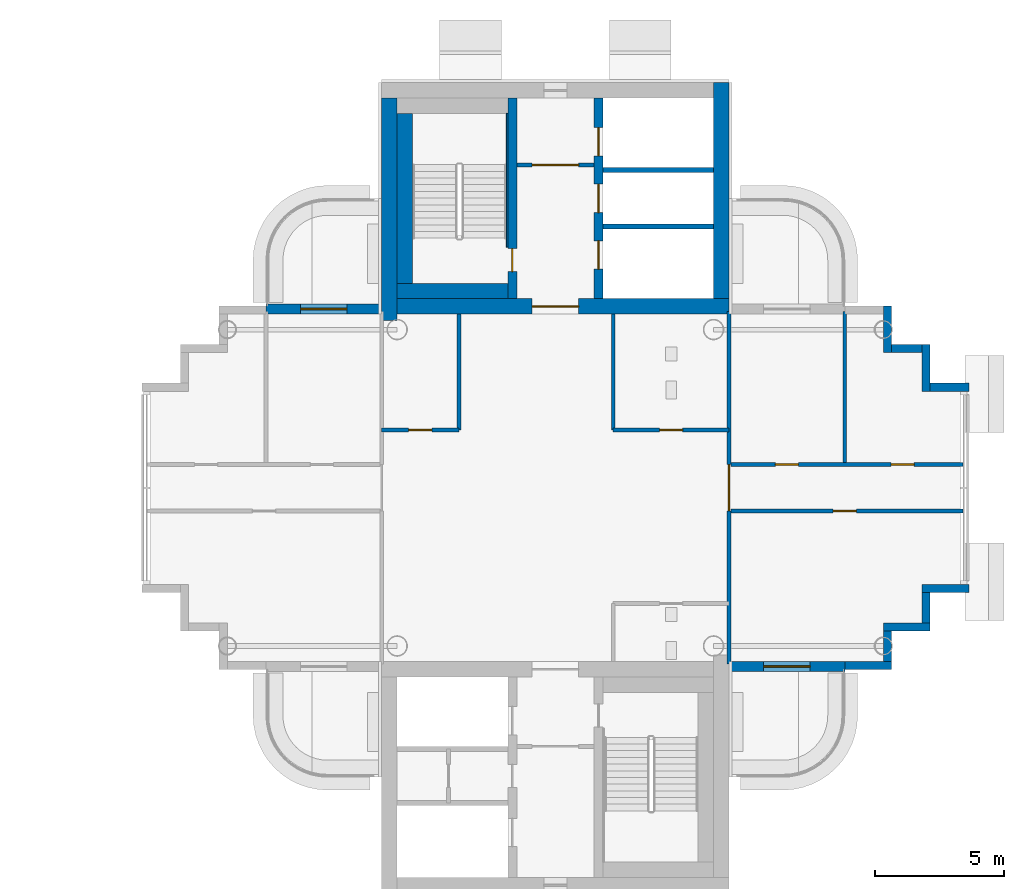
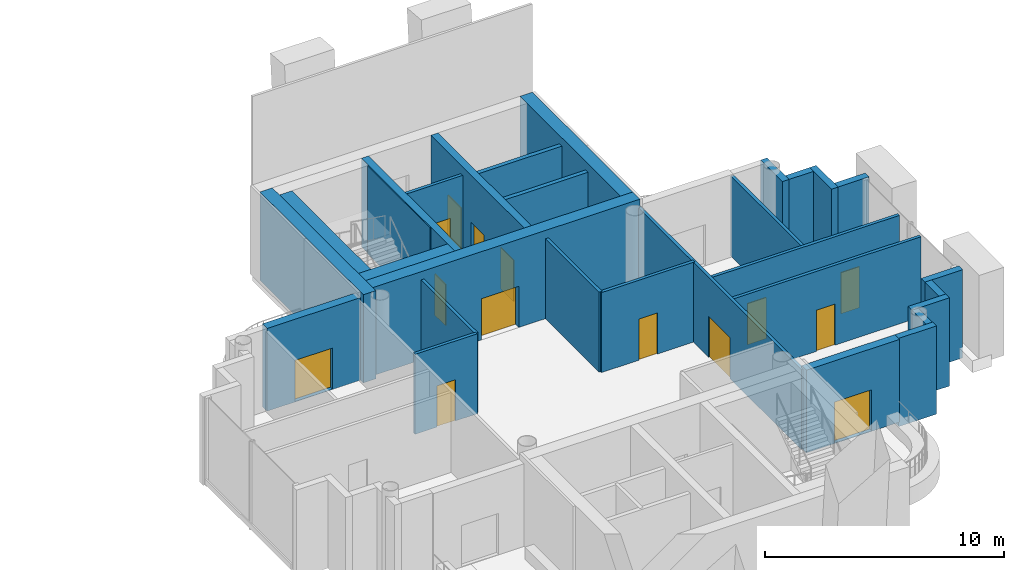
# One storey, part 10 of 20: 30 walls, 14 doors, 14 openings.
"""IFC4 building model written with IfcOpenShell, lengths in metres."""

from ifc_helpers import new_model, si_unit, direction, frame, frame_2d, origin, place, context, subcontext, project, spatial, rectangle, extrude, material, layer, layer_set, type_object, element, fill, save


model = new_model("IFC4")

# Units and contexts
model_context = context("Model", 3, precision=1e-05, world=origin(), true_north=direction((0.0, 1.0)))
body_context = subcontext(model_context, "Body", "Model", "MODEL_VIEW")
ifc_project = project(units=[si_unit("LENGTHUNIT", "METRE"), si_unit("AREAUNIT", "SQUARE_METRE"), si_unit("VOLUMEUNIT", "CUBIC_METRE"), si_unit("PLANEANGLEUNIT", "RADIAN"), si_unit("MASSUNIT", "GRAM", prefix="KILO")], contexts=[model_context])

# Site, building, storey
site_placement = place(None, origin())
site = spatial("IfcSite", under=ifc_project, at=site_placement, CompositionType="ELEMENT")
building_placement = place(site_placement, origin())
building = spatial("IfcBuilding", under=site, at=building_placement, Name="Ipe Terrace Towers", CompositionType="ELEMENT")
storey_placement = place(building_placement, frame((0.0, 0.0, 242.39990234375)))
storey = spatial("IfcBuildingStorey", under=building, at=storey_placement, Name="L67", CompositionType="ELEMENT", Elevation=242.39990234375)

# Wall, opening, door
ifc_material_1 = material(Name="Concrete C40/50 with buff precast cladding", Category="concrete")
ifc_layer_1 = layer(ifc_material_1, 0.39990234375)
ifc_layer_set_1 = layer_set([ifc_layer_1], Name="BALCONY BAY WALL 400")
wall_type_1 = type_object("IfcWallType", Name="BALCONY BAY WALL 400", PredefinedType="STANDARD", material=ifc_layer_set_1)
wall_1_placement = place(storey_placement, frame((42.75, -6.949951171875, -0.02001953125), z_axis=(0.0, 0.0, 1.0), x_axis=(1.0, 0.0, 0.0)))
wall_1 = element("IfcWall", 1, at=wall_1_placement, inside=storey, type_object=wall_type_1, Name="T2-W-L67-02a wall", PredefinedType="STANDARD", context=body_context, shape_type="SweptSolid", body=[
    extrude(rectangle(XDim=4.5, YDim=0.39990234375, at=frame_2d((2.25, 0.0))), origin(), (0.0, 0.0, 1.0), 4.22021484375),
])
opening_1_placement = place(wall_1_placement, frame((1.35009765625, 0.0, 0.02001953125)))
opening_1 = element("IfcOpeningElement", 2, at=opening_1_placement, cuts=wall_1, Name="Opening T2-D-L67-02", PredefinedType="OPENING", context=body_context, shape_type="SweptSolid", body=[
    extrude(rectangle(XDim=1.800048828125, YDim=2.10009765625, at=frame_2d((0.89990234375, 1.050048828125))), frame((0.0, 0.2099609375, 0.0), z_axis=(0.0, -1.0, 0.0), x_axis=(1.0, 0.0, 0.0)), (0.0, 0.0, 1.0), 0.419921875),
])
ifc_material_2 = material(Name="Aluminium alloy 6063-T6 framed glazed door", Category="aluminium")
door_type_1 = type_object("IfcDoorType", Name="BALCONY DOOR 1800 x 2100 RIGHT", OperationType="SINGLE_SWING_RIGHT", PredefinedType="DOOR", material=ifc_material_2)
door_1_placement = place(opening_1_placement, origin())
door_1 = element("IfcDoor", 3, at=door_1_placement, inside=storey, type_object=door_type_1, Name="DB2 door", OperationType="SINGLE_SWING_RIGHT", OverallHeight=2.10009765625, OverallWidth=1.800048828125, PredefinedType="DOOR", context=body_context, shape_type="SweptSolid", body=[
    extrude(rectangle(XDim=1.800048828125, YDim=2.10009765625, at=frame_2d((0.89990234375, 1.050048828125))), frame((0.0, 0.02490234375, 0.0), z_axis=(0.0, -1.0, 0.0), x_axis=(1.0, 0.0, 0.0)), (0.0, 0.0, 1.0), 0.050048828125),
])
fill(opening_1, door_1)

wall_2_placement = place(storey_placement, frame((29.25, 6.949951171875, -0.02001953125), z_axis=(0.0, 0.0, 1.0), x_axis=(-1.0, 0.0, 0.0)))
wall_2 = element("IfcWall", 4, at=wall_2_placement, inside=storey, type_object=wall_type_1, Name="T2-W-L67-20a wall", PredefinedType="STANDARD", context=body_context, shape_type="SweptSolid", body=[
    extrude(rectangle(XDim=4.5, YDim=0.39990234375, at=frame_2d((2.25, 0.0))), origin(), (0.0, 0.0, 1.0), 4.22021484375),
])
opening_2_placement = place(wall_2_placement, frame((1.35009765625, 0.0, 0.02001953125)))
opening_2 = element("IfcOpeningElement", 5, at=opening_2_placement, cuts=wall_2, Name="Opening T2-D-L67-20", PredefinedType="OPENING", context=body_context, shape_type="SweptSolid", body=[
    extrude(rectangle(XDim=1.800048828125, YDim=2.10009765625, at=frame_2d((0.89990234375, 1.050048828125))), frame((0.0, 0.2099609375, 0.0), z_axis=(0.0, -1.0, 0.0), x_axis=(1.0, 0.0, 0.0)), (0.0, 0.0, 1.0), 0.419921875),
])
door_2_placement = place(opening_2_placement, origin())
door_2 = element("IfcDoor", 6, at=door_2_placement, inside=storey, type_object=door_type_1, Name="DB2 door", OperationType="SINGLE_SWING_RIGHT", OverallHeight=2.10009765625, OverallWidth=1.800048828125, PredefinedType="DOOR", context=body_context, shape_type="SweptSolid", body=[
    extrude(rectangle(XDim=1.800048828125, YDim=2.10009765625, at=frame_2d((0.89990234375, 1.050048828125))), frame((0.0, 0.02490234375, 0.0), z_axis=(0.0, -1.0, 0.0), x_axis=(1.0, 0.0, 0.0)), (0.0, 0.0, 1.0), 0.050048828125),
])
fill(opening_2, door_2)

# Walls
ifc_material_3 = material(Name="Concrete C40/50 with buff precast cladding", Category="concrete")
ifc_layer_2 = layer(ifc_material_3, 0.320068359375)
ifc_layer_set_2 = layer_set([ifc_layer_2], Name="BUFF CLADDING WALL 320")
wall_type_2 = type_object("IfcWallType", Name="BUFF CLADDING WALL 320", PredefinedType="STANDARD", material=ifc_layer_set_2)
wall_3_placement = place(storey_placement, frame((47.25, -6.909912109375, -0.2998046875), z_axis=(0.0, 0.0, 1.0), x_axis=(1.0, 0.0, 0.0)))
element("IfcWall", 7, at=wall_3_placement, inside=storey, type_object=wall_type_2, Name="T2-W-L67-03a wall", PredefinedType="STANDARD", context=body_context, shape_type="SweptSolid", body=[
    extrude(rectangle(XDim=1.820068359375, YDim=0.320068359375, at=frame_2d((0.91015625, 0.0))), origin(), (0.0, 0.0, 1.0), 4.5),
])
wall_4_placement = place(storey_placement, frame((48.909912109375, -6.75, -0.2998046875), z_axis=(0.0, 0.0, 1.0), x_axis=(0.0, 1.0, 0.0)))
element("IfcWall", 8, at=wall_4_placement, inside=storey, type_object=wall_type_2, Name="T2-W-L67-04a wall", PredefinedType="STANDARD", context=body_context, shape_type="SweptSolid", body=[
    extrude(rectangle(XDim=1.179931640625, YDim=0.320068359375, at=frame_2d((0.58984375, 0.0))), origin(), (0.0, 0.0, 1.0), 4.5),
])
wall_5_placement = place(storey_placement, frame((48.75, -5.409912109375, -0.2998046875), z_axis=(0.0, 0.0, 1.0), x_axis=(1.0, 0.0, 0.0)))
element("IfcWall", 9, at=wall_5_placement, inside=storey, type_object=wall_type_2, Name="T2-W-L67-05a wall", PredefinedType="STANDARD", context=body_context, shape_type="SweptSolid", body=[
    extrude(rectangle(XDim=1.820068359375, YDim=0.320068359375, at=frame_2d((0.91015625, 0.0))), origin(), (0.0, 0.0, 1.0), 4.5),
])
wall_6_placement = place(storey_placement, frame((50.409912109375, -5.25, -0.2998046875), z_axis=(0.0, 0.0, 1.0), x_axis=(0.0, 1.0, 0.0)))
element("IfcWall", 10, at=wall_6_placement, inside=storey, type_object=wall_type_2, Name="T2-W-L67-06a wall", PredefinedType="STANDARD", context=body_context, shape_type="SweptSolid", body=[
    extrude(rectangle(XDim=1.179931640625, YDim=0.320068359375, at=frame_2d((0.58984375, 0.0))), origin(), (0.0, 0.0, 1.0), 4.5),
])
wall_7_placement = place(storey_placement, frame((50.25, -3.909912109375, -0.2998046875), z_axis=(0.0, 0.0, 1.0), x_axis=(1.0, 0.0, 0.0)))
element("IfcWall", 11, at=wall_7_placement, inside=storey, type_object=wall_type_2, Name="T2-W-L67-07a wall", PredefinedType="STANDARD", context=body_context, shape_type="SweptSolid", body=[
    extrude(rectangle(XDim=1.820068359375, YDim=0.320068359375, at=frame_2d((0.91015625, 0.0))), origin(), (0.0, 0.0, 1.0), 4.5),
])
wall_8_placement = place(storey_placement, frame((52.070068359375, 3.909912109375, -0.2998046875), z_axis=(0.0, 0.0, 1.0), x_axis=(-1.0, 0.0, 0.0)))
element("IfcWall", 12, at=wall_8_placement, inside=storey, type_object=wall_type_2, Name="T2-W-L67-09a wall", PredefinedType="STANDARD", context=body_context, shape_type="SweptSolid", body=[
    extrude(rectangle(XDim=1.5, YDim=0.320068359375, at=frame_2d((0.75, 0.0))), origin(), (0.0, 0.0, 1.0), 4.5),
])
wall_9_placement = place(storey_placement, frame((50.409912109375, 3.75, -0.2998046875), z_axis=(0.0, 0.0, 1.0), x_axis=(0.0, 1.0, 0.0)))
element("IfcWall", 13, at=wall_9_placement, inside=storey, type_object=wall_type_2, Name="T2-W-L67-10a wall", PredefinedType="STANDARD", context=body_context, shape_type="SweptSolid", body=[
    extrude(rectangle(XDim=1.820068359375, YDim=0.320068359375, at=frame_2d((0.91015625, 0.0))), origin(), (0.0, 0.0, 1.0), 4.5),
])
wall_10_placement = place(storey_placement, frame((50.25, 5.409912109375, -0.2998046875), z_axis=(0.0, 0.0, 1.0), x_axis=(-1.0, 0.0, 0.0)))
element("IfcWall", 14, at=wall_10_placement, inside=storey, type_object=wall_type_2, Name="T2-W-L67-11a wall", PredefinedType="STANDARD", context=body_context, shape_type="SweptSolid", body=[
    extrude(rectangle(XDim=1.179931640625, YDim=0.320068359375, at=frame_2d((0.58984375, 0.0))), origin(), (0.0, 0.0, 1.0), 4.5),
])
wall_11_placement = place(storey_placement, frame((48.909912109375, 5.25, -0.2998046875), z_axis=(0.0, 0.0, 1.0), x_axis=(0.0, 1.0, 0.0)))
element("IfcWall", 15, at=wall_11_placement, inside=storey, type_object=wall_type_2, Name="T2-W-L67-12a wall", PredefinedType="STANDARD", context=body_context, shape_type="SweptSolid", body=[
    extrude(rectangle(XDim=1.820068359375, YDim=0.320068359375, at=frame_2d((0.91015625, 0.0))), origin(), (0.0, 0.0, 1.0), 4.5),
])

# Wall, opening, door
ifc_material_4 = material(Name="Gypsum board partition", Category="plasterboard")
ifc_layer_3 = layer(ifc_material_4, 0.14990234375)
ifc_layer_set_3 = layer_set([ifc_layer_3], Name="Gypsum board partition 150 mm")
wall_type_3 = type_object("IfcWallType", Name="Gypsum board partition 150 mm", PredefinedType="PARTITIONING", material=ifc_layer_set_3)
wall_12_placement = place(storey_placement, frame((37.5, 12.550048828125, 0.0), z_axis=(0.0, 0.0, 1.0), x_axis=(-1.0, 0.0, 0.0)))
wall_12 = element("IfcWall", 16, at=wall_12_placement, inside=storey, type_object=wall_type_3, Name="Gypsum board partition T2 L67 t2c1-lobby-wall", PredefinedType="PARTITIONING", context=body_context, shape_type="SweptSolid", body=[
    extrude(rectangle(XDim=3.0, YDim=0.14990234375, at=frame_2d((1.5, 0.0))), origin(), (0.0, 0.0, 1.0), 4.080078125),
])
opening_3_placement = place(wall_12_placement, frame((0.60009765625, 0.0, 0.0)))
opening_3 = element("IfcOpeningElement", 17, at=opening_3_placement, cuts=wall_12, Name="Opening T2C1-VD", PredefinedType="OPENING", context=body_context, shape_type="SweptSolid", body=[
    extrude(rectangle(XDim=1.800048828125, YDim=2.10009765625, at=frame_2d((0.89990234375, 1.050048828125))), frame((0.0, 0.0849609375, 0.0), z_axis=(0.0, -1.0, 0.0), x_axis=(1.0, 0.0, 0.0)), (0.0, 0.0, 1.0), 0.169921875),
])
ifc_material_5 = material(Name="Fire-rated timber door leaf", Category="wood")
door_type_2 = type_object("IfcDoorType", Name="Lobby door 1800 x 2100 FD60", OperationType="NOTDEFINED", PredefinedType="DOOR", material=ifc_material_5)
door_3_placement = place(opening_3_placement, origin())
door_3 = element("IfcDoor", 18, at=door_3_placement, inside=storey, type_object=door_type_2, Name="Lobby door T2C1-VD", OperationType="SINGLE_SWING_LEFT", OverallHeight=2.10009765625, OverallWidth=1.800048828125, PredefinedType="DOOR", context=body_context, shape_type="SweptSolid", body=[
    extrude(rectangle(XDim=1.800048828125, YDim=2.10009765625, at=frame_2d((0.89990234375, 1.050048828125))), frame((0.0, 0.02490234375, 0.0), z_axis=(0.0, -1.0, 0.0), x_axis=(1.0, 0.0, 0.0)), (0.0, 0.0, 1.0), 0.050048828125),
])
fill(opening_3, door_3)

wall_13_placement = place(storey_placement, frame((32.25, 2.25, 0.0), z_axis=(0.0, 0.0, 1.0), x_axis=(-1.0, 0.0, 0.0)))
wall_13 = element("IfcWall", 19, at=wall_13_placement, inside=storey, type_object=wall_type_3, Name="Gypsum board partition T2 L67 sp-cne-x", PredefinedType="PARTITIONING", context=body_context, shape_type="SweptSolid", body=[
    extrude(rectangle(XDim=3.0, YDim=0.14990234375, at=frame_2d((1.5, 0.0))), origin(), (0.0, 0.0, 1.0), 4.080078125),
])
opening_4_placement = place(wall_13_placement, frame((1.050048828125, 0.0, 0.0)))
opening_4 = element("IfcOpeningElement", 20, at=opening_4_placement, cuts=wall_13, Name="Opening T2-SP-CNE-NR", PredefinedType="OPENING", context=body_context, shape_type="SweptSolid", body=[
    extrude(rectangle(XDim=0.89990234375, YDim=2.10009765625, at=frame_2d((0.449951171875, 1.050048828125))), frame((0.0, 0.0849609375, 0.0), z_axis=(0.0, -1.0, 0.0), x_axis=(1.0, 0.0, 0.0)), (0.0, 0.0, 1.0), 0.169921875),
])
ifc_material_6 = material(Name="Timber door leaf", Category="wood")
door_type_3 = type_object("IfcDoorType", Name="Service door 900 x 2100", OperationType="NOTDEFINED", PredefinedType="DOOR", material=ifc_material_6)
door_4_placement = place(opening_4_placement, origin())
door_4 = element("IfcDoor", 21, at=door_4_placement, inside=storey, type_object=door_type_3, Name="Service door T2-SP-CNE-NR", OperationType="SINGLE_SWING_RIGHT", OverallHeight=2.10009765625, OverallWidth=0.89990234375, PredefinedType="DOOR", context=body_context, shape_type="SweptSolid", body=[
    extrude(rectangle(XDim=0.89990234375, YDim=2.10009765625, at=frame_2d((0.449951171875, 1.050048828125))), frame((0.0, 0.02490234375, 0.0), z_axis=(0.0, -1.0, 0.0), x_axis=(1.0, 0.0, 0.0)), (0.0, 0.0, 1.0), 0.050048828125),
])
fill(opening_4, door_4)

# Wall
wall_14_placement = place(storey_placement, frame((32.25, 2.25, 0.0), z_axis=(0.0, 0.0, 1.0), x_axis=(0.0, 1.0, 0.0)))
element("IfcWall", 22, at=wall_14_placement, inside=storey, type_object=wall_type_3, Name="Gypsum board partition T2 L67 sp-cne-y", PredefinedType="PARTITIONING", context=body_context, shape_type="SweptSolid", body=[
    extrude(rectangle(XDim=4.5, YDim=0.14990234375, at=frame_2d((2.25, 0.0))), origin(), (0.0, 0.0, 1.0), 4.080078125),
])

# Wall, opening, door
wall_15_placement = place(storey_placement, frame((42.75, 2.25, 0.0), z_axis=(0.0, 0.0, 1.0), x_axis=(-1.0, 0.0, 0.0)))
wall_15 = element("IfcWall", 23, at=wall_15_placement, inside=storey, type_object=wall_type_3, Name="Gypsum board partition T2 L67 sp-cse-x", PredefinedType="PARTITIONING", context=body_context, shape_type="SweptSolid", body=[
    extrude(rectangle(XDim=4.5, YDim=0.14990234375, at=frame_2d((2.25, 0.0))), origin(), (0.0, 0.0, 1.0), 4.080078125),
])
opening_5_placement = place(wall_15_placement, frame((1.800048828125, 0.0, 0.0)))
opening_5 = element("IfcOpeningElement", 24, at=opening_5_placement, cuts=wall_15, Name="Opening T2-SP-CSE-NR", PredefinedType="OPENING", context=body_context, shape_type="SweptSolid", body=[
    extrude(rectangle(XDim=0.89990234375, YDim=2.10009765625, at=frame_2d((0.449951171875, 1.050048828125))), frame((0.0, 0.0849609375, 0.0), z_axis=(0.0, -1.0, 0.0), x_axis=(1.0, 0.0, 0.0)), (0.0, 0.0, 1.0), 0.169921875),
])
ifc_material_7 = material(Name="Timber door leaf", Category="wood")
door_type_4 = type_object("IfcDoorType", Name="Bathroom door 900 x 2100", OperationType="NOTDEFINED", PredefinedType="DOOR", material=ifc_material_7)
door_5_placement = place(opening_5_placement, origin())
door_5 = element("IfcDoor", 25, at=door_5_placement, inside=storey, type_object=door_type_4, Name="Bathroom door T2-SP-CSE-NR", OperationType="SINGLE_SWING_RIGHT", OverallHeight=2.10009765625, OverallWidth=0.89990234375, PredefinedType="DOOR", context=body_context, shape_type="SweptSolid", body=[
    extrude(rectangle(XDim=0.89990234375, YDim=2.10009765625, at=frame_2d((0.449951171875, 1.050048828125))), frame((0.0, 0.02490234375, 0.0), z_axis=(0.0, -1.0, 0.0), x_axis=(1.0, 0.0, 0.0)), (0.0, 0.0, 1.0), 0.050048828125),
])
fill(opening_5, door_5)

# Wall
wall_16_placement = place(storey_placement, frame((38.25, 2.25, 0.0), z_axis=(0.0, 0.0, 1.0), x_axis=(0.0, 1.0, 0.0)))
element("IfcWall", 26, at=wall_16_placement, inside=storey, type_object=wall_type_3, Name="Gypsum board partition T2 L67 sp-cse-y", PredefinedType="PARTITIONING", context=body_context, shape_type="SweptSolid", body=[
    extrude(rectangle(XDim=4.5, YDim=0.14990234375, at=frame_2d((2.25, 0.0))), origin(), (0.0, 0.0, 1.0), 4.080078125),
])

# Wall, opening, door
wall_17_placement = place(storey_placement, frame((42.75, -6.85009765625, 0.0), z_axis=(0.0, 0.0, 1.0), x_axis=(0.0, 1.0, 0.0)))
wall_17 = element("IfcWall", 27, at=wall_17_placement, inside=storey, type_object=wall_type_3, Name="Gypsum board partition T2 L67 sp-Sm-mouth", PredefinedType="PARTITIONING", context=body_context, shape_type="SweptSolid", body=[
    extrude(rectangle(XDim=13.7001953125, YDim=0.14990234375, at=frame_2d((6.85009765625, 0.0))), origin(), (0.0, 0.0, 1.0), 4.080078125),
])
opening_6_placement = place(wall_17_placement, frame((5.949951171875, 0.0, 0.0)))
opening_6 = element("IfcOpeningElement", 28, at=opening_6_placement, cuts=wall_17, Name="Opening T2-SP-MSm", PredefinedType="OPENING", context=body_context, shape_type="SweptSolid", body=[
    extrude(rectangle(XDim=1.800048828125, YDim=2.10009765625, at=frame_2d((0.89990234375, 1.050048828125))), frame((0.0, 0.0849609375, 0.0), z_axis=(0.0, -1.0, 0.0), x_axis=(1.0, 0.0, 0.0)), (0.0, 0.0, 1.0), 0.169921875),
])
ifc_material_8 = material(Name="Fire-rated timber door leaf", Category="wood")
door_type_5 = type_object("IfcDoorType", Name="Lobby door 1800 x 2100 FD30S", OperationType="NOTDEFINED", PredefinedType="DOOR", material=ifc_material_8)
door_6_placement = place(opening_6_placement, origin())
door_6 = element("IfcDoor", 29, at=door_6_placement, inside=storey, type_object=door_type_5, Name="Lobby door T2-SP-MSm", OperationType="SINGLE_SWING_RIGHT", OverallHeight=2.10009765625, OverallWidth=1.800048828125, PredefinedType="DOOR", context=body_context, shape_type="SweptSolid", body=[
    extrude(rectangle(XDim=1.800048828125, YDim=2.10009765625, at=frame_2d((0.89990234375, 1.050048828125))), frame((0.0, 0.02490234375, 0.0), z_axis=(0.0, -1.0, 0.0), x_axis=(1.0, 0.0, 0.0)), (0.0, 0.0, 1.0), 0.050048828125),
])
fill(opening_6, door_6)

# Wall, openings, doors
wall_18_placement = place(storey_placement, frame((51.85009765625, 0.89990234375, 0.0), z_axis=(0.0, 0.0, 1.0), x_axis=(-1.0, 0.0, 0.0)))
wall_18 = element("IfcWall", 30, at=wall_18_placement, inside=storey, type_object=wall_type_3, Name="Gypsum board partition T2 L67 sp-Sm-wp", PredefinedType="PARTITIONING", context=body_context, shape_type="SweptSolid", body=[
    extrude(rectangle(XDim=9.025146484375, YDim=0.14990234375, at=frame_2d((4.5126953125, 0.0))), origin(), (0.0, 0.0, 1.0), 4.080078125),
])
opening_7_placement = place(wall_18_placement, frame((1.89990234375, 0.0, 0.0)))
opening_7 = element("IfcOpeningElement", 31, at=opening_7_placement, cuts=wall_18, Name="Opening T2-SP-PSm1", PredefinedType="OPENING", context=body_context, shape_type="SweptSolid", body=[
    extrude(rectangle(XDim=0.89990234375, YDim=2.10009765625, at=frame_2d((0.449951171875, 1.050048828125))), frame((0.0, 0.0849609375, 0.0), z_axis=(0.0, -1.0, 0.0), x_axis=(1.0, 0.0, 0.0)), (0.0, 0.0, 1.0), 0.169921875),
])
opening_8_placement = place(wall_18_placement, frame((6.39990234375, 0.0, 0.0)))
opening_8 = element("IfcOpeningElement", 32, at=opening_8_placement, cuts=wall_18, Name="Opening T2-SP-PSm2", PredefinedType="OPENING", context=body_context, shape_type="SweptSolid", body=[
    extrude(rectangle(XDim=0.89990234375, YDim=2.10009765625, at=frame_2d((0.449951171875, 1.050048828125))), frame((0.0, 0.0849609375, 0.0), z_axis=(0.0, -1.0, 0.0), x_axis=(1.0, 0.0, 0.0)), (0.0, 0.0, 1.0), 0.169921875),
])
ifc_material_9 = material(Name="Fire-rated timber door leaf", Category="wood")
door_type_6 = type_object("IfcDoorType", Name="Lounge door 900 x 2100 FD30S", OperationType="NOTDEFINED", PredefinedType="DOOR", material=ifc_material_9)
door_7_placement = place(opening_7_placement, origin())
door_7 = element("IfcDoor", 33, at=door_7_placement, inside=storey, type_object=door_type_6, Name="Lounge door T2-SP-PSm1", OperationType="SINGLE_SWING_LEFT", OverallHeight=2.10009765625, OverallWidth=0.89990234375, PredefinedType="DOOR", context=body_context, shape_type="SweptSolid", body=[
    extrude(rectangle(XDim=0.89990234375, YDim=2.10009765625, at=frame_2d((0.449951171875, 1.050048828125))), frame((0.0, 0.02490234375, 0.0), z_axis=(0.0, -1.0, 0.0), x_axis=(1.0, 0.0, 0.0)), (0.0, 0.0, 1.0), 0.050048828125),
])
fill(opening_7, door_7)
door_8_placement = place(opening_8_placement, origin())
door_8 = element("IfcDoor", 34, at=door_8_placement, inside=storey, type_object=door_type_6, Name="Lounge door T2-SP-PSm2", OperationType="SINGLE_SWING_RIGHT", OverallHeight=2.10009765625, OverallWidth=0.89990234375, PredefinedType="DOOR", context=body_context, shape_type="SweptSolid", body=[
    extrude(rectangle(XDim=0.89990234375, YDim=2.10009765625, at=frame_2d((0.449951171875, 1.050048828125))), frame((0.0, 0.02490234375, 0.0), z_axis=(0.0, -1.0, 0.0), x_axis=(1.0, 0.0, 0.0)), (0.0, 0.0, 1.0), 0.050048828125),
])
fill(opening_8, door_8)

# Wall
wall_19_placement = place(storey_placement, frame((47.25, 0.97509765625, 0.0), z_axis=(0.0, 0.0, 1.0), x_axis=(0.0, 1.0, 0.0)))
element("IfcWall", 35, at=wall_19_placement, inside=storey, type_object=wall_type_3, Name="Gypsum board partition T2 L67 sp-Sm-dp1", PredefinedType="PARTITIONING", context=body_context, shape_type="SweptSolid", body=[
    extrude(rectangle(XDim=5.875, YDim=0.14990234375, at=frame_2d((2.9375, 0.0))), origin(), (0.0, 0.0, 1.0), 4.080078125),
])

# Wall, opening, door
wall_20_placement = place(storey_placement, frame((51.85009765625, -0.89990234375, 0.0), z_axis=(0.0, 0.0, 1.0), x_axis=(-1.0, 0.0, 0.0)))
wall_20 = element("IfcWall", 36, at=wall_20_placement, inside=storey, type_object=wall_type_3, Name="Gypsum board partition T2 L67 sp-Sm-wm", PredefinedType="PARTITIONING", context=body_context, shape_type="SweptSolid", body=[
    extrude(rectangle(XDim=9.025146484375, YDim=0.14990234375, at=frame_2d((4.5126953125, 0.0))), origin(), (0.0, 0.0, 1.0), 4.080078125),
])
opening_9_placement = place(wall_20_placement, frame((4.14990234375, 0.0, 0.0)))
opening_9 = element("IfcOpeningElement", 37, at=opening_9_placement, cuts=wall_20, Name="Opening T2-SP-MSm1", PredefinedType="OPENING", context=body_context, shape_type="SweptSolid", body=[
    extrude(rectangle(XDim=0.89990234375, YDim=2.10009765625, at=frame_2d((0.449951171875, 1.050048828125))), frame((0.0, 0.0849609375, 0.0), z_axis=(0.0, -1.0, 0.0), x_axis=(1.0, 0.0, 0.0)), (0.0, 0.0, 1.0), 0.169921875),
])
door_9_placement = place(opening_9_placement, origin())
door_9 = element("IfcDoor", 38, at=door_9_placement, inside=storey, type_object=door_type_6, Name="Lounge door T2-SP-MSm1", OperationType="SINGLE_SWING_RIGHT", OverallHeight=2.10009765625, OverallWidth=0.89990234375, PredefinedType="DOOR", context=body_context, shape_type="SweptSolid", body=[
    extrude(rectangle(XDim=0.89990234375, YDim=2.10009765625, at=frame_2d((0.449951171875, 1.050048828125))), frame((0.0, 0.02490234375, 0.0), z_axis=(0.0, -1.0, 0.0), x_axis=(1.0, 0.0, 0.0)), (0.0, 0.0, 1.0), 0.050048828125),
])
fill(opening_9, door_9)

# Walls
ifc_material_10 = material(Name="Gypsum board party wall", Category="plasterboard")
ifc_layer_4 = layer(ifc_material_10, 0.199951171875)
ifc_layer_set_4 = layer_set([ifc_layer_4], Name="Gypsum board party wall 200 mm")
wall_type_4 = type_object("IfcWallType", Name="Gypsum board party wall 200 mm", PredefinedType="SOLIDWALL", material=ifc_layer_set_4)
for number, where, z_axis, x_axis, name in (
    (39, (42.14990234375, 10.14990234375, 0.0), (0.0, 0.0, 1.0), (-1.0, 0.0, 0.0), "Gypsum board party wall T2 L67 t2c1-shaft-div1"),
    (40, (42.14990234375, 12.35009765625, 0.0), (0.0, 0.0, 1.0), (-1.0, 0.0, 0.0), "Gypsum board party wall T2 L67 t2c1-shaft-div2"),
):
    element("IfcWall", number, at=place(storey_placement, frame(where, z_axis=z_axis, x_axis=x_axis)), inside=storey, type_object=wall_type_4, Name=name, PredefinedType="SOLIDWALL", context=body_context, shape_type="SweptSolid", body=[
        extrude(rectangle(XDim=4.2998046875, YDim=0.199951171875, at=frame_2d((2.14990234375, 0.0))), origin(), (0.0, 0.0, 1.0), 4.080078125),
    ])

# Wall, opening, door
ifc_material_11 = material(Name="Concrete C40/50", Category="concrete")
ifc_layer_5 = layer(ifc_material_11, 0.35009765625)
ifc_layer_set_5 = layer_set([ifc_layer_5], Name="RW350 CORE SPINE WALL 350 C40-50")
wall_type_5 = type_object("IfcWallType", Name="RW350 CORE SPINE WALL 350 C40-50", PredefinedType="SHEAR", material=ifc_layer_set_5)
wall_21_placement = place(storey_placement, frame((34.324951171875, 7.35009765625, 0.0), z_axis=(0.0, 0.0, 1.0), x_axis=(0.0, 1.0, 0.0)))
wall_21 = element("IfcWall", 41, at=wall_21_placement, inside=storey, type_object=wall_type_5, Name="Core spine wall T2-C1-Z4-SW1", PredefinedType="SHEAR", context=body_context, shape_type="SweptSolid", body=[
    extrude(rectangle(XDim=7.7998046875, YDim=0.35009765625, at=frame_2d((3.89990234375, 0.0))), origin(), (0.0, 0.0, 1.0), 4.5),
])
opening_10_placement = place(wall_21_placement, frame((1.050048828125, 0.0, 0.0)))
opening_10 = element("IfcOpeningElement", 42, at=opening_10_placement, cuts=wall_21, Name="Opening T2C1-SD", PredefinedType="OPENING", context=body_context, shape_type="SweptSolid", body=[
    extrude(rectangle(XDim=0.89990234375, YDim=2.10009765625, at=frame_2d((0.449951171875, 1.050048828125))), frame((0.0, 0.18505859375, 0.0), z_axis=(0.0, -1.0, 0.0), x_axis=(1.0, 0.0, 0.0)), (0.0, 0.0, 1.0), 0.3701171875),
])
ifc_material_12 = material(Name="Fire-rated timber door leaf", Category="wood")
door_type_7 = type_object("IfcDoorType", Name="Stair door 900 x 2100 FD60", OperationType="NOTDEFINED", PredefinedType="DOOR", material=ifc_material_12)
door_10_placement = place(opening_10_placement, origin())
door_10 = element("IfcDoor", 43, at=door_10_placement, inside=storey, type_object=door_type_7, Name="Stair door T2C1-SD", OperationType="SINGLE_SWING_LEFT", OverallHeight=2.10009765625, OverallWidth=0.89990234375, PredefinedType="DOOR", context=body_context, shape_type="SweptSolid", body=[
    extrude(rectangle(XDim=0.89990234375, YDim=2.10009765625, at=frame_2d((0.449951171875, 1.050048828125))), frame((0.0, 0.02490234375, 0.0), z_axis=(0.0, -1.0, 0.0), x_axis=(1.0, 0.0, 0.0)), (0.0, 0.0, 1.0), 0.050048828125),
])
fill(opening_10, door_10)

# Wall, openings, doors
wall_22_placement = place(storey_placement, frame((37.675048828125, 7.35009765625, 0.0), z_axis=(0.0, 0.0, 1.0), x_axis=(0.0, 1.0, 0.0)))
wall_22 = element("IfcWall", 44, at=wall_22_placement, inside=storey, type_object=wall_type_5, Name="Core spine wall T2-C1-Z4-SW2", PredefinedType="SHEAR", context=body_context, shape_type="SweptSolid", body=[
    extrude(rectangle(XDim=7.7998046875, YDim=0.35009765625, at=frame_2d((3.89990234375, 0.0))), origin(), (0.0, 0.0, 1.0), 4.5),
])
opening_11_placement = place(wall_22_placement, frame((1.14990234375, 0.0, 0.0)))
opening_11 = element("IfcOpeningElement", 45, at=opening_11_placement, cuts=wall_22, Name="Opening T2C1-LD1", PredefinedType="OPENING", context=body_context, shape_type="SweptSolid", body=[
    extrude(rectangle(XDim=1.10009765625, YDim=2.10009765625, at=frame_2d((0.550048828125, 1.050048828125))), frame((0.0, 0.18505859375, 0.0), z_axis=(0.0, -1.0, 0.0), x_axis=(1.0, 0.0, 0.0)), (0.0, 0.0, 1.0), 0.3701171875),
])
opening_12_placement = place(wall_22_placement, frame((3.35009765625, 0.0, 0.0)))
opening_12 = element("IfcOpeningElement", 46, at=opening_12_placement, cuts=wall_22, Name="Opening T2C1-LD2", PredefinedType="OPENING", context=body_context, shape_type="SweptSolid", body=[
    extrude(rectangle(XDim=1.10009765625, YDim=2.10009765625, at=frame_2d((0.550048828125, 1.050048828125))), frame((0.0, 0.18505859375, 0.0), z_axis=(0.0, -1.0, 0.0), x_axis=(1.0, 0.0, 0.0)), (0.0, 0.0, 1.0), 0.3701171875),
])
opening_13_placement = place(wall_22_placement, frame((5.550048828125, 0.0, 0.0)))
opening_13 = element("IfcOpeningElement", 47, at=opening_13_placement, cuts=wall_22, Name="Opening T2C1-LD3", PredefinedType="OPENING", context=body_context, shape_type="SweptSolid", body=[
    extrude(rectangle(XDim=1.10009765625, YDim=2.10009765625, at=frame_2d((0.550048828125, 1.050048828125))), frame((0.0, 0.18505859375, 0.0), z_axis=(0.0, -1.0, 0.0), x_axis=(1.0, 0.0, 0.0)), (0.0, 0.0, 1.0), 0.3701171875),
])
ifc_material_13 = material(Name="Fire-rated timber door leaf", Category="wood")
door_type_8 = type_object("IfcDoorType", Name="Sliding door 1100 x 2100 FD60", OperationType="SLIDING_TO_LEFT", PredefinedType="DOOR", material=ifc_material_13)
door_11_placement = place(opening_11_placement, origin())
door_11 = element("IfcDoor", 48, at=door_11_placement, inside=storey, type_object=door_type_8, Name="Sliding door T2C1-LD1", OperationType="SLIDING_TO_LEFT", OverallHeight=2.10009765625, OverallWidth=1.10009765625, PredefinedType="DOOR", context=body_context, shape_type="SweptSolid", body=[
    extrude(rectangle(XDim=1.10009765625, YDim=2.10009765625, at=frame_2d((0.550048828125, 1.050048828125))), frame((0.0, 0.02490234375, 0.0), z_axis=(0.0, -1.0, 0.0), x_axis=(1.0, 0.0, 0.0)), (0.0, 0.0, 1.0), 0.050048828125),
])
fill(opening_11, door_11)
door_12_placement = place(opening_12_placement, origin())
door_12 = element("IfcDoor", 49, at=door_12_placement, inside=storey, type_object=door_type_8, Name="Sliding door T2C1-LD2", OperationType="SLIDING_TO_LEFT", OverallHeight=2.10009765625, OverallWidth=1.10009765625, PredefinedType="DOOR", context=body_context, shape_type="SweptSolid", body=[
    extrude(rectangle(XDim=1.10009765625, YDim=2.10009765625, at=frame_2d((0.550048828125, 1.050048828125))), frame((0.0, 0.02490234375, 0.0), z_axis=(0.0, -1.0, 0.0), x_axis=(1.0, 0.0, 0.0)), (0.0, 0.0, 1.0), 0.050048828125),
])
fill(opening_12, door_12)
door_13_placement = place(opening_13_placement, origin())
door_13 = element("IfcDoor", 50, at=door_13_placement, inside=storey, type_object=door_type_8, Name="Sliding door T2C1-LD3", OperationType="SLIDING_TO_LEFT", OverallHeight=2.10009765625, OverallWidth=1.10009765625, PredefinedType="DOOR", context=body_context, shape_type="SweptSolid", body=[
    extrude(rectangle(XDim=1.10009765625, YDim=2.10009765625, at=frame_2d((0.550048828125, 1.050048828125))), frame((0.0, 0.02490234375, 0.0), z_axis=(0.0, -1.0, 0.0), x_axis=(1.0, 0.0, 0.0)), (0.0, 0.0, 1.0), 0.050048828125),
])
fill(opening_13, door_13)

# Walls
ifc_material_14 = material(Name="Concrete C40/50", Category="concrete")
ifc_layer_6 = layer(ifc_material_14, 0.050048828125)
ifc_layer_set_6 = layer_set([ifc_layer_6], Name="RW50 CORE INFILL WALL 50 C40-50")
wall_type_6 = type_object("IfcWallType", Name="RW50 CORE INFILL WALL 50 C40-50", PredefinedType="SHEAR", material=ifc_layer_set_6)
wall_23_placement = place(storey_placement, frame((34.125, 9.35009765625, 0.0), z_axis=(0.0, 0.0, 1.0), x_axis=(0.0, 1.0, 0.0)))
element("IfcWall", 51, at=wall_23_placement, inside=storey, type_object=wall_type_6, Name="Core infill wall T2-C1-spine-b", PredefinedType="SHEAR", context=body_context, shape_type="SweptSolid", body=[
    extrude(rectangle(XDim=5.199951171875, YDim=0.050048828125, at=frame_2d((2.60009765625, 0.0))), origin(), (0.0, 0.0, 1.0), 4.5),
])
ifc_material_15 = material(Name="Concrete C40/50", Category="concrete")
ifc_layer_7 = layer(ifc_material_15, 0.60009765625)
ifc_layer_set_7 = layer_set([ifc_layer_7], Name="RW600 CORE INFILL WALL 600 C40-50")
wall_type_7 = type_object("IfcWallType", Name="RW600 CORE INFILL WALL 600 C40-50", PredefinedType="SHEAR", material=ifc_layer_set_7)
wall_24_placement = place(storey_placement, frame((30.14990234375, 7.949951171875, 0.0), z_axis=(0.0, 0.0, 1.0), x_axis=(0.0, 1.0, 0.0)))
element("IfcWall", 52, at=wall_24_placement, inside=storey, type_object=wall_type_7, Name="Core infill wall T2-C1-back", PredefinedType="SHEAR", context=body_context, shape_type="SweptSolid", body=[
    extrude(rectangle(XDim=6.60009765625, YDim=0.60009765625, at=frame_2d((3.300048828125, 0.0))), origin(), (0.0, 0.0, 1.0), 4.5),
])
wall_25_placement = place(storey_placement, frame((34.14990234375, 7.64990234375, 0.0), z_axis=(0.0, 0.0, 1.0), x_axis=(-1.0, 0.0, 0.0)))
element("IfcWall", 53, at=wall_25_placement, inside=storey, type_object=wall_type_7, Name="Core infill wall T2-C1-near", PredefinedType="SHEAR", context=body_context, shape_type="SweptSolid", body=[
    extrude(rectangle(XDim=4.2998046875, YDim=0.60009765625, at=frame_2d((2.14990234375, 0.0))), origin(), (0.0, 0.0, 1.0), 4.5),
])

# Wall, opening, door
ifc_material_16 = material(Name="Concrete C40/50", Category="concrete")
ifc_layer_8 = layer(ifc_material_16, 0.60009765625)
ifc_layer_set_8 = layer_set([ifc_layer_8], Name="RW600 CORE WALL 600 C40-50")
wall_type_8 = type_object("IfcWallType", Name="RW600 CORE WALL 600 C40-50", PredefinedType="SHEAR", material=ifc_layer_set_8)
wall_26_placement = place(storey_placement, frame((29.85009765625, 7.050048828125, 0.0), z_axis=(0.0, 0.0, 1.0), x_axis=(1.0, 0.0, 0.0)))
wall_26 = element("IfcWall", 54, at=wall_26_placement, inside=storey, type_object=wall_type_8, Name="Core wall T2-C1-Z4-W01", PredefinedType="SHEAR", context=body_context, shape_type="SweptSolid", body=[
    extrude(rectangle(XDim=12.89990234375, YDim=0.60009765625, at=frame_2d((6.449951171875, 0.0))), origin(), (0.0, 0.0, 1.0), 4.5),
])
opening_14_placement = place(wall_26_placement, frame((5.25, 0.0, 0.0)))
opening_14 = element("IfcOpeningElement", 55, at=opening_14_placement, cuts=wall_26, Name="Opening T2C1-ND", PredefinedType="OPENING", context=body_context, shape_type="SweptSolid", body=[
    extrude(rectangle(XDim=1.800048828125, YDim=2.10009765625, at=frame_2d((0.89990234375, 1.050048828125))), frame((0.0, 0.31005859375, 0.0), z_axis=(0.0, -1.0, 0.0), x_axis=(1.0, 0.0, 0.0)), (0.0, 0.0, 1.0), 0.6201171875),
])
ifc_material_17 = material(Name="Fire-rated timber door leaf", Category="wood")
door_type_9 = type_object("IfcDoorType", Name="Fire door 1800 x 2100 FD30S", OperationType="NOTDEFINED", PredefinedType="DOOR", material=ifc_material_17)
door_14_placement = place(opening_14_placement, origin())
door_14 = element("IfcDoor", 56, at=door_14_placement, inside=storey, type_object=door_type_9, Name="Fire door T2C1-ND", OperationType="SINGLE_SWING_LEFT", OverallHeight=2.10009765625, OverallWidth=1.800048828125, PredefinedType="DOOR", context=body_context, shape_type="SweptSolid", body=[
    extrude(rectangle(XDim=1.800048828125, YDim=2.10009765625, at=frame_2d((0.89990234375, 1.050048828125))), frame((0.0, 0.02490234375, 0.0), z_axis=(0.0, -1.0, 0.0), x_axis=(1.0, 0.0, 0.0)), (0.0, 0.0, 1.0), 0.050048828125),
])
fill(opening_14, door_14)

# Walls
wall_27_placement = place(storey_placement, frame((42.449951171875, 7.35009765625, 0.0), z_axis=(0.0, 0.0, 1.0), x_axis=(0.0, 1.0, 0.0)))
element("IfcWall", 57, at=wall_27_placement, inside=storey, type_object=wall_type_8, Name="Core wall T2-C1-Z4-W02", PredefinedType="SHEAR", context=body_context, shape_type="SweptSolid", body=[
    extrude(rectangle(XDim=8.39990234375, YDim=0.60009765625, at=frame_2d((4.199951171875, 0.0))), origin(), (0.0, 0.0, 1.0), 4.5),
])
wall_28_placement = place(storey_placement, frame((29.550048828125, 15.14990234375, 0.0), z_axis=(0.0, 0.0, 1.0), x_axis=(0.0, -1.0, 0.0)))
element("IfcWall", 58, at=wall_28_placement, inside=storey, type_object=wall_type_8, Name="Core wall T2-C1-Z4-W04", PredefinedType="SHEAR", context=body_context, shape_type="SweptSolid", body=[
    extrude(rectangle(XDim=8.64794921875, YDim=0.60009765625, at=frame_2d((4.323974609375, 0.0))), origin(), (0.0, 0.0, 1.0), 4.5),
])

save(model, "model.ifc")
